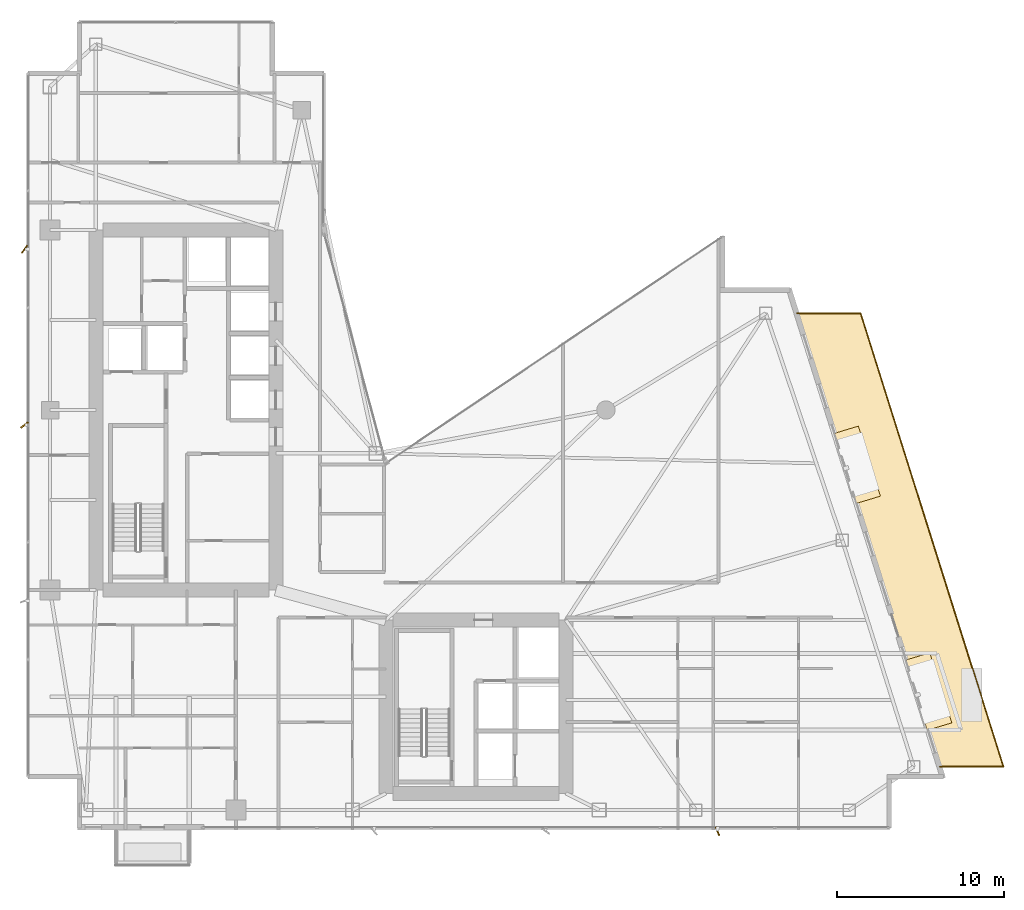
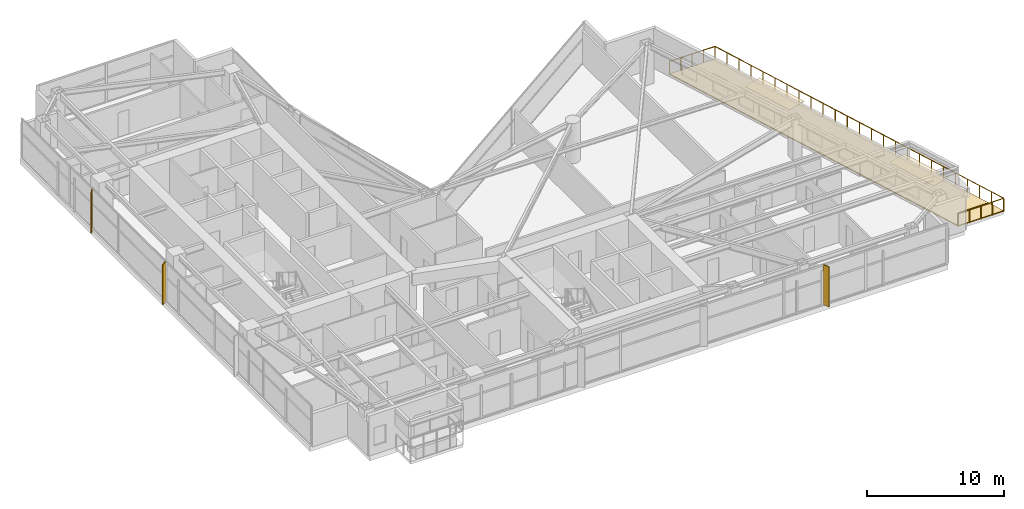
# One storey, part 30 of 30: 3 coverings, 3 shading devices, 1 railing.
"""IFC4 building model written with IfcOpenShell, lengths in metres."""

import ifcopenshell
import ifcopenshell.guid

model = None  # the IFC model being written
_history = None  # IfcOwnerHistory: only IFC2X3 demands one
_inside = {}  # id of a spatial element -> (the spatial element, [elements in it])
_under = {}  # id of a project, library or spatial element -> (it, [spatial elements below it])
_declared = {}  # id of a project -> (the project, [libraries it declares])
_typed = {}  # id of a type object -> (the type object, [elements of that type])
_made_of = {}  # id of a material, layer set ... -> (it, [elements and type objects made of it])


def new_model(schema):
    """Start an empty IFC model of exactly this schema.

    Asked for "IFC4X3", IfcOpenShell would pick the latest addendum, in which some entities
    have other attributes; the version numbers below select the first issue.
    IFC2X3 requires an IfcOwnerHistory on every rooted entity: one is made here for all.
    """
    global model, _history
    if schema == "IFC4X3":
        model = ifcopenshell.file(schema_version=(4, 3, 0, 0))
    else:
        model = ifcopenshell.file(schema=schema)
    _inside.clear()
    _under.clear()
    _declared.clear()
    _typed.clear()
    _made_of.clear()
    _history = None
    if model.schema == "IFC2X3":
        org = make("IfcOrganization", Name="unknown")
        user = make(
            "IfcPersonAndOrganization",
            ThePerson=make("IfcPerson", FamilyName="unknown"),
            TheOrganization=org,
        )
        app = make(
            "IfcApplication",
            ApplicationDeveloper=org,
            Version="unknown",
            ApplicationFullName="unknown",
            ApplicationIdentifier="unknown",
        )
        _history = make(
            "IfcOwnerHistory",
            OwningUser=user,
            OwningApplication=app,
            ChangeAction="ADDED",
            CreationDate=0,
        )
    return model


def make(cls, **values):
    """One entity of the class cls with the attributes given. An attribute that is None is left unset."""
    return model.create_entity(
        cls, **{name: value for name, value in values.items() if value is not None}
    )


def rooted(cls, **values):
    """An entity with a GlobalId (a new one), such as an element, a storey or a relation."""
    return make(cls, GlobalId=ifcopenshell.guid.new(), OwnerHistory=_history, **values)


def si_unit(unit_type, name, prefix=None):
    """IfcSIUnit, for example si_unit("LENGTHUNIT", "METRE", prefix="MILLI")."""
    return make("IfcSIUnit", UnitType=unit_type, Prefix=prefix, Name=name)


def assignment(units):
    """IfcUnitAssignment: the units of a project."""
    return None if units is None else make("IfcUnitAssignment", Units=units)


def point(xyz):
    """IfcCartesianPoint."""
    return None if xyz is None else make("IfcCartesianPoint", Coordinates=xyz)


def direction(xyz):
    """IfcDirection."""
    return None if xyz is None else make("IfcDirection", DirectionRatios=xyz)


def frame(location, z_axis=None, x_axis=None):
    """IfcAxis2Placement3D, a coordinate frame: its origin and axes. An axis left out is left unset."""
    return make(
        "IfcAxis2Placement3D",
        Location=point(location),
        Axis=direction(z_axis),
        RefDirection=direction(x_axis),
    )


def frame_2d(location, x_axis=None):
    """IfcAxis2Placement2D, a coordinate frame in the plane: its origin and x axis."""
    return make(
        "IfcAxis2Placement2D", Location=point(location), RefDirection=direction(x_axis)
    )


def origin():
    """The frame at (0, 0, 0) with its axes left unset."""
    return frame((0.0, 0.0, 0.0))


def origin_2d():
    """The frame at (0, 0) in the plane with its x axis left unset."""
    return frame_2d((0.0, 0.0))


def place(relative_to, where):
    """IfcLocalPlacement: puts the frame where relative to a parent placement (None: the world)."""
    return make(
        "IfcLocalPlacement", PlacementRelTo=relative_to, RelativePlacement=where
    )


def context(
    kind, dimensions, precision=None, world=None, true_north=None, identifier=None
):
    """IfcGeometricRepresentationContext, for example the 3D "Model" context."""
    return make(
        "IfcGeometricRepresentationContext",
        ContextIdentifier=identifier,
        ContextType=kind,
        CoordinateSpaceDimension=dimensions,
        Precision=precision,
        WorldCoordinateSystem=world,
        TrueNorth=true_north,
    )


def subcontext(parent, identifier, kind, view, scale=None):
    """IfcGeometricRepresentationSubContext, for example "Body" below "Model"."""
    return make(
        "IfcGeometricRepresentationSubContext",
        ContextIdentifier=identifier,
        ContextType=kind,
        ParentContext=parent,
        TargetScale=scale,
        TargetView=view,
    )


def project(units=None, contexts=None):
    """IfcProject with its units and contexts."""
    return rooted(
        "IfcProject",
        Name="project",
        RepresentationContexts=contexts,
        UnitsInContext=assignment(units),
    )


def spatial(cls, under=None, at=None, **own):
    """A site, building, storey or space (cls), placed at a placement, below another one or the project."""
    s = rooted(cls, ObjectPlacement=at, **own)
    if under is not None:
        _under.setdefault(under.id(), (under, []))[1].append(s)
    return s


def polyline(points):
    """IfcPolyline through the points."""
    return make("IfcPolyline", Points=[point(p) for p in points])


def profile(cls, at=None, kind="AREA", **sizes):
    """A parametric profile (cls). Its sizes go by their IFC names, for example OverallWidth=200.0."""
    return make(cls, ProfileType=kind, Position=at, **sizes)


def rectangle(**sizes):
    """IfcRectangleProfileDef."""
    return profile("IfcRectangleProfileDef", **sizes)


def circle(**sizes):
    """IfcCircleProfileDef."""
    return profile("IfcCircleProfileDef", **sizes)


def outline(outer, holes=None, kind="AREA"):
    """IfcArbitraryClosedProfileDef: a profile drawn as a closed curve; with holes, ...WithVoids."""
    if holes is None:
        return make("IfcArbitraryClosedProfileDef", ProfileType=kind, OuterCurve=outer)
    return make(
        "IfcArbitraryProfileDefWithVoids",
        ProfileType=kind,
        OuterCurve=outer,
        InnerCurves=holes,
    )


def extrude(swept, where, along, depth):
    """IfcExtrudedAreaSolid: the profile swept, set in the frame where, extruded along a direction by depth."""
    return make(
        "IfcExtrudedAreaSolid",
        SweptArea=swept,
        Position=where,
        ExtrudedDirection=direction(along),
        Depth=depth,
    )


def shape(context_of_items, identifier, shape_type, items):
    """IfcShapeRepresentation: the items that make up one representation, for example the "Body"."""
    return make(
        "IfcShapeRepresentation",
        ContextOfItems=context_of_items,
        RepresentationIdentifier=identifier,
        RepresentationType=shape_type,
        Items=items,
    )


def material(Name=None, Category=None):
    """IfcMaterial."""
    return make("IfcMaterial", Name=Name, Category=Category)


def layer(
    of_material, thickness, ventilated=None, Name=None, Category=None, Priority=None
):
    """IfcMaterialLayer: one layer of a wall or slab, of a material (None: an air gap)."""
    return make(
        "IfcMaterialLayer",
        Material=of_material,
        LayerThickness=thickness,
        IsVentilated=ventilated,
        Name=Name,
        Category=Category,
        Priority=Priority,
    )


def layer_set(layers, Name=None):
    """IfcMaterialLayerSet."""
    return make("IfcMaterialLayerSet", MaterialLayers=layers, LayerSetName=Name)


def made_of(thing, what):
    """Note that an element or type object is made of a material, layer set ...; save() writes the relation."""
    if what is not None:
        _made_of.setdefault(what.id(), (what, []))[1].append(thing)
    return thing


def type_object(cls, material=None, **own):
    """A type object (cls), such as IfcWallType, which elements share."""
    return made_of(rooted(cls, **own), material)


def element(
    cls,
    number,
    at=None,
    inside=None,
    cuts=None,
    type_object=None,
    material=None,
    context=None,
    identifier="Body",
    shape_type=None,
    held_by="IfcProductDefinitionShape",
    body=None,
    shapes=None,
    **own,
):
    """One element of the class cls, such as IfcWall. Its Tag is "e" and its number.

    at: its placement. inside: the storey or other place that contains it. cuts: it is an
    opening in that element (IfcRelVoidsElement). A single representation is given by context,
    identifier, shape_type and body (its items); several are given by shapes. held_by: the class
    of the entity that holds the representations. save() writes the other relations.
    """
    e = rooted(cls, Tag="e%d" % number, ObjectPlacement=at, **own)
    if body is not None:
        shapes = [shape(context, identifier, shape_type, body)]
    if shapes is not None:
        e.Representation = make(held_by, Representations=shapes)
    if inside is not None:
        _inside.setdefault(inside.id(), (inside, []))[1].append(e)
    if cuts is not None:
        rooted(
            "IfcRelVoidsElement", RelatingBuildingElement=cuts, RelatedOpeningElement=e
        )
    if type_object is not None:
        _typed.setdefault(type_object.id(), (type_object, []))[1].append(e)
    return made_of(e, material)


def aggregate(whole, parts):
    """IfcRelAggregates: a whole, such as a stair, and the parts it consists of."""
    return rooted("IfcRelAggregates", RelatingObject=whole, RelatedObjects=parts)


def save(model, path):
    """Write the relations noted so far, then the file.

    IfcRelAggregates (storeys below a building ...), IfcRelContainedInSpatialStructure (elements
    in a storey), IfcRelDefinesByType, IfcRelAssociatesMaterial and IfcRelDeclares: one each for
    every whole, place, type object, material and project.
    """
    for whole, parts in _under.values():
        aggregate(whole, parts)
    for where, things in _inside.values():
        rooted(
            "IfcRelContainedInSpatialStructure",
            RelatedElements=things,
            RelatingStructure=where,
        )
    for kind, things in _typed.values():
        rooted("IfcRelDefinesByType", RelatedObjects=things, RelatingType=kind)
    for what, things in _made_of.values():
        rooted("IfcRelAssociatesMaterial", RelatedObjects=things, RelatingMaterial=what)
    for by, libraries in _declared.values():
        rooted("IfcRelDeclares", RelatingContext=by, RelatedDefinitions=libraries)
    model.write(path)


model = new_model("IFC4")

# Units and contexts
model_context = context("Model", 3, precision=1e-05, world=origin(), true_north=direction((0.0, 1.0)))
body_context = subcontext(model_context, "Body", "Model", "MODEL_VIEW")
ifc_project = project(units=[si_unit("LENGTHUNIT", "METRE"), si_unit("AREAUNIT", "SQUARE_METRE"), si_unit("VOLUMEUNIT", "CUBIC_METRE"), si_unit("PLANEANGLEUNIT", "RADIAN"), si_unit("MASSUNIT", "GRAM", prefix="KILO")], contexts=[model_context])

# Site, building, storey
site_placement = place(None, origin())
site = spatial("IfcSite", under=ifc_project, at=site_placement, CompositionType="ELEMENT")
building_placement = place(site_placement, origin())
building = spatial("IfcBuilding", under=site, at=building_placement, Name="Calvorn Quay Hotel", CompositionType="ELEMENT")
storey_placement = place(building_placement, frame((0.0, 0.0, 191.300048828125)))
storey = spatial("IfcBuildingStorey", under=building, at=storey_placement, Name="L47", CompositionType="ELEMENT", Elevation=191.300048828125)

# Coverings
ifc_material_1 = material(Name="Pale Anodised Aluminium Rainscreen Cladding", Category="aluminium")
ifc_layer_1 = layer(ifc_material_1, 0.044921875)
ifc_layer_set_1 = layer_set([ifc_layer_1], Name="COV-CROWN-CLAD")
covering_type_1 = type_object("IfcCoveringType", Name="COV-CROWN-CLAD", PredefinedType="CLADDING", material=ifc_layer_set_1)
covering_1_placement = place(storey_placement, frame((0.0, 0.0, 2.5048828125)))
element("IfcCovering", 1, at=covering_1_placement, inside=storey, type_object=covering_type_1, Name="Angled Bay Hood Canopy L47-HOOD-1", PredefinedType="CLADDING", context=body_context, shape_type="SweptSolid", body=[
    extrude(outline(polyline([(52.757080078125, 12.587890625), (54.22998046875, 13.034912109375), (55.552978515625, 8.8349609375), (54.080078125, 8.387939453125), (52.757080078125, 12.587890625)])), origin(), (0.0, 0.0, 1.0), 0.045166015625),
])
covering_2_placement = place(storey_placement, frame((0.0, 0.0, 2.5048828125)))
element("IfcCovering", 2, at=covering_2_placement, inside=storey, type_object=covering_type_1, Name="Angled Bay Hood Canopy L47-HOOD-3", PredefinedType="CLADDING", context=body_context, shape_type="SweptSolid", body=[
    extrude(outline(polyline([(48.471923828125, 26.18798828125), (49.945068359375, 26.635009765625), (51.26806640625, 22.43505859375), (49.794921875, 21.988037109375), (48.471923828125, 26.18798828125)])), origin(), (0.0, 0.0, 1.0), 0.045166015625),
])
ifc_material_2 = material(Name="Insulated Elastomeric Waterproof Roofing")
ifc_layer_2 = layer(ifc_material_2, 0.080078125)
ifc_layer_set_2 = layer_set([ifc_layer_2], Name="COV-ROOF-MEMBRANE")
covering_type_2 = type_object("IfcCoveringType", Name="COV-ROOF-MEMBRANE", PredefinedType="ROOFING", material=ifc_layer_set_2)
covering_3_placement = place(storey_placement, origin())
element("IfcCovering", 3, at=covering_3_placement, inside=storey, type_object=covering_type_2, Name="Setback Terrace Waterproofing (L47)", PredefinedType="ROOFING", context=body_context, shape_type="SweptSolid", body=[
    extrude(outline(polyline([(54.8310546875, 6.199951171875), (58.660888671875, 6.199951171875), (50.091064453125, 33.39990234375), (46.260986328125, 33.39990234375), (54.8310546875, 6.199951171875)])), origin(), (0.0, 0.0, 1.0), 0.079833984375),
])

# Railing
ifc_material_3 = material(Name="Pale Anodised Aluminium and Laminated Glass", Category="aluminium")
railing_type = type_object("IfcRailingType", Name="RLG-BALUSTRADE-1200", PredefinedType="BALUSTRADE", material=ifc_material_3)
railing_placement = place(storey_placement, frame((54.8310546875, 6.199951171875, 0.0)))
element("IfcRailing", 4, at=railing_placement, inside=storey, type_object=railing_type, Name="Sawtooth Setback Terrace Balustrade (L47)", PredefinedType="BALUSTRADE", context=body_context, shape_type="SweptSolid", body=[
    extrude(circle(Radius=0.02392578125, at=origin_2d()), frame((0.0, 0.0, 1.17578125), z_axis=(1.0, 0.0, 0.0), x_axis=(0.0, 1.0, 0.0)), (0.0, 0.0, 1.0), 3.829833984375),
    extrude(circle(Radius=0.02392578125, at=origin_2d()), frame((3.829833984375, 0.0, 1.17578125), z_axis=(-0.300505256443, 0.953780158553, 0.0), x_axis=(-0.953780158553, -0.300505256443, 0.0)), (0.0, 0.0, 1.0), 28.51806640625),
    extrude(circle(Radius=0.02392578125, at=origin_2d()), frame((-4.739990234375, 27.199951171875, 1.17578125), z_axis=(-1.0, 0.0, 0.0), x_axis=(0.0, -1.0, 0.0)), (0.0, 0.0, 1.0), 3.830078125),
    extrude(circle(Radius=0.02099609375, at=origin_2d()), origin(), (0.0, 0.0, 1.0), 1.15185546875),
    extrude(circle(Radius=0.02099609375, at=origin_2d()), frame((0.95751953125, 0.0, 0.0)), (0.0, 0.0, 1.0), 1.15185546875),
    extrude(circle(Radius=0.02099609375, at=origin_2d()), frame((1.9150390625, 0.0, 0.0)), (0.0, 0.0, 1.0), 1.15185546875),
    extrude(circle(Radius=0.02099609375, at=origin_2d()), frame((2.872314453125, 0.0, 0.0)), (0.0, 0.0, 1.0), 1.15185546875),
    extrude(circle(Radius=0.02099609375, at=origin_2d()), frame((3.829833984375, 0.0, 0.0)), (0.0, 0.0, 1.0), 1.15185546875),
    extrude(circle(Radius=0.02099609375, at=origin_2d()), frame((3.47265625, 1.13330078125, 0.0)), (0.0, 0.0, 1.0), 1.15185546875),
    extrude(circle(Radius=0.02099609375, at=origin_2d()), frame((3.11572265625, 2.2666015625, 0.0)), (0.0, 0.0, 1.0), 1.15185546875),
    extrude(circle(Radius=0.02099609375, at=origin_2d()), frame((2.758544921875, 3.39990234375, 0.0)), (0.0, 0.0, 1.0), 1.15185546875),
    extrude(circle(Radius=0.02099609375, at=origin_2d()), frame((2.401611328125, 4.533203125, 0.0)), (0.0, 0.0, 1.0), 1.15185546875),
    extrude(circle(Radius=0.02099609375, at=origin_2d()), frame((2.04443359375, 5.666748046875, 0.0)), (0.0, 0.0, 1.0), 1.15185546875),
    extrude(circle(Radius=0.02099609375, at=origin_2d()), frame((1.6875, 6.800048828125, 0.0)), (0.0, 0.0, 1.0), 1.15185546875),
    extrude(circle(Radius=0.02099609375, at=origin_2d()), frame((1.330322265625, 7.933349609375, 0.0)), (0.0, 0.0, 1.0), 1.15185546875),
    extrude(circle(Radius=0.02099609375, at=origin_2d()), frame((0.97314453125, 9.066650390625, 0.0)), (0.0, 0.0, 1.0), 1.15185546875),
    extrude(circle(Radius=0.02099609375, at=origin_2d()), frame((0.6162109375, 10.199951171875, 0.0)), (0.0, 0.0, 1.0), 1.15185546875),
    extrude(circle(Radius=0.02099609375, at=origin_2d()), frame((0.259033203125, 11.333251953125, 0.0)), (0.0, 0.0, 1.0), 1.15185546875),
    extrude(circle(Radius=0.02099609375, at=origin_2d()), frame((-0.097900390625, 12.466552734375, 0.0)), (0.0, 0.0, 1.0), 1.15185546875),
    extrude(circle(Radius=0.02099609375, at=origin_2d()), frame((-0.455078125, 13.60009765625, 0.0)), (0.0, 0.0, 1.0), 1.15185546875),
    extrude(circle(Radius=0.02099609375, at=origin_2d()), frame((-0.812255859375, 14.7333984375, 0.0)), (0.0, 0.0, 1.0), 1.15185546875),
    extrude(circle(Radius=0.02099609375, at=origin_2d()), frame((-1.169189453125, 15.86669921875, 0.0)), (0.0, 0.0, 1.0), 1.15185546875),
    extrude(circle(Radius=0.02099609375, at=origin_2d()), frame((-1.5263671875, 17.0, 0.0)), (0.0, 0.0, 1.0), 1.15185546875),
    extrude(circle(Radius=0.02099609375, at=origin_2d()), frame((-1.88330078125, 18.13330078125, 0.0)), (0.0, 0.0, 1.0), 1.15185546875),
    extrude(circle(Radius=0.02099609375, at=origin_2d()), frame((-2.240478515625, 19.2666015625, 0.0)), (0.0, 0.0, 1.0), 1.15185546875),
    extrude(circle(Radius=0.02099609375, at=origin_2d()), frame((-2.59765625, 20.39990234375, 0.0)), (0.0, 0.0, 1.0), 1.15185546875),
    extrude(circle(Radius=0.02099609375, at=origin_2d()), frame((-2.95458984375, 21.533203125, 0.0)), (0.0, 0.0, 1.0), 1.15185546875),
    extrude(circle(Radius=0.02099609375, at=origin_2d()), frame((-3.311767578125, 22.66650390625, 0.0)), (0.0, 0.0, 1.0), 1.15185546875),
    extrude(circle(Radius=0.02099609375, at=origin_2d()), frame((-3.668701171875, 23.800048828125, 0.0)), (0.0, 0.0, 1.0), 1.15185546875),
    extrude(circle(Radius=0.02099609375, at=origin_2d()), frame((-4.02587890625, 24.933349609375, 0.0)), (0.0, 0.0, 1.0), 1.15185546875),
    extrude(circle(Radius=0.02099609375, at=origin_2d()), frame((-4.3828125, 26.066650390625, 0.0)), (0.0, 0.0, 1.0), 1.15185546875),
    extrude(circle(Radius=0.02099609375, at=origin_2d()), frame((-4.739990234375, 27.199951171875, 0.0)), (0.0, 0.0, 1.0), 1.15185546875),
    extrude(circle(Radius=0.02099609375, at=origin_2d()), frame((-5.697509765625, 27.199951171875, 0.0)), (0.0, 0.0, 1.0), 1.15185546875),
    extrude(circle(Radius=0.02099609375, at=origin_2d()), frame((-6.655029296875, 27.199951171875, 0.0)), (0.0, 0.0, 1.0), 1.15185546875),
    extrude(circle(Radius=0.02099609375, at=origin_2d()), frame((-7.612548828125, 27.199951171875, 0.0)), (0.0, 0.0, 1.0), 1.15185546875),
    extrude(circle(Radius=0.02099609375, at=origin_2d()), frame((-8.570068359375, 27.199951171875, 0.0)), (0.0, 0.0, 1.0), 1.15185546875),
])

# Shading devices
ifc_material_4 = material(Name="Champagne Bronze Anodised Aluminium 6063-T6", Category="aluminium")
shading_device_type_1 = type_object("IfcShadingDeviceType", Name="SHD-FIN-A1", PredefinedType="USERDEFINED", material=ifc_material_4)
shading_device_1_placement = place(storey_placement, frame((41.5, 2.320068359375, 0.0), z_axis=(0.0, 0.0, 1.0), x_axis=(-0.374606593416, 0.927183854567, 0.0)))
element("IfcShadingDevice", 5, at=shading_device_1_placement, inside=storey, type_object=shading_device_type_1, Name="Diagonal Sun-Shading Fin L47-S03", ObjectType="FIN", PredefinedType="USERDEFINED", context=body_context, shape_type="SweptSolid", body=[
    extrude(rectangle(XDim=0.550048828125, YDim=0.080078125, at=origin_2d()), origin(), (0.0, 0.0, 1.0), 3.56005859375),
])
ifc_material_5 = material(Name="Champagne Bronze Anodised Aluminium 6063-T6", Category="aluminium")
shading_device_type_2 = type_object("IfcShadingDeviceType", Name="SHD-FIN-A2", PredefinedType="USERDEFINED", material=ifc_material_5)
shading_device_2_placement = place(storey_placement, frame((-0.080078125, 26.699951171875, 0.0), z_axis=(0.0, 0.0, 1.0), x_axis=(0.788010753607, 0.615661475326, 0.0)))
element("IfcShadingDevice", 6, at=shading_device_2_placement, inside=storey, type_object=shading_device_type_2, Name="Diagonal Sun-Shading Fin L47-W02", ObjectType="FIN", PredefinedType="USERDEFINED", context=body_context, shape_type="SweptSolid", body=[
    extrude(rectangle(XDim=0.550048828125, YDim=0.080078125, at=origin_2d()), origin(), (0.0, 0.0, 1.0), 3.56005859375),
])
ifc_material_6 = material(Name="Champagne Bronze Anodised Aluminium 6063-T6", Category="aluminium")
shading_device_type_3 = type_object("IfcShadingDeviceType", Name="SHD-FIN-A3", PredefinedType="USERDEFINED", material=ifc_material_6)
shading_device_3_placement = place(storey_placement, frame((-0.080078125, 37.25, 0.0), z_axis=(0.0, 0.0, 1.0), x_axis=(0.587785252292, 0.809016994375, 0.0)))
element("IfcShadingDevice", 7, at=shading_device_3_placement, inside=storey, type_object=shading_device_type_3, Name="Diagonal Sun-Shading Fin L47-W03", ObjectType="FIN", PredefinedType="USERDEFINED", context=body_context, shape_type="SweptSolid", body=[
    extrude(rectangle(XDim=0.550048828125, YDim=0.080078125, at=origin_2d()), origin(), (0.0, 0.0, 1.0), 3.56005859375),
])

save(model, "model.ifc")
